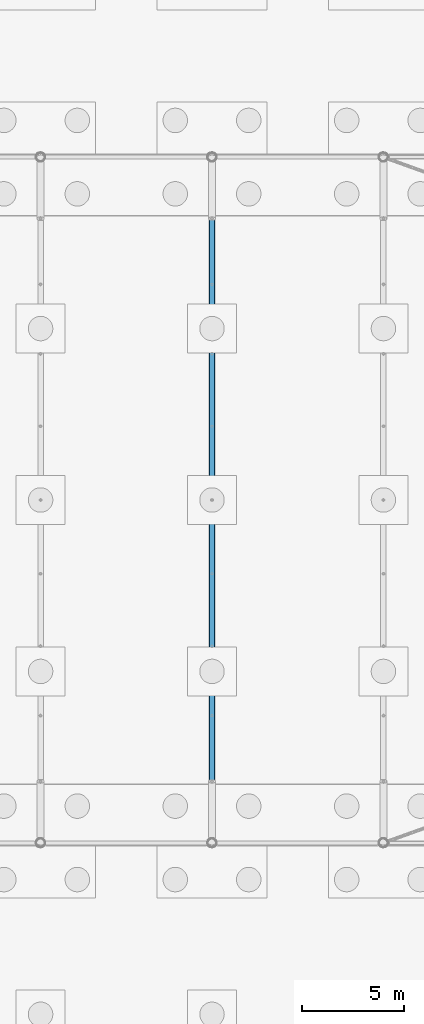
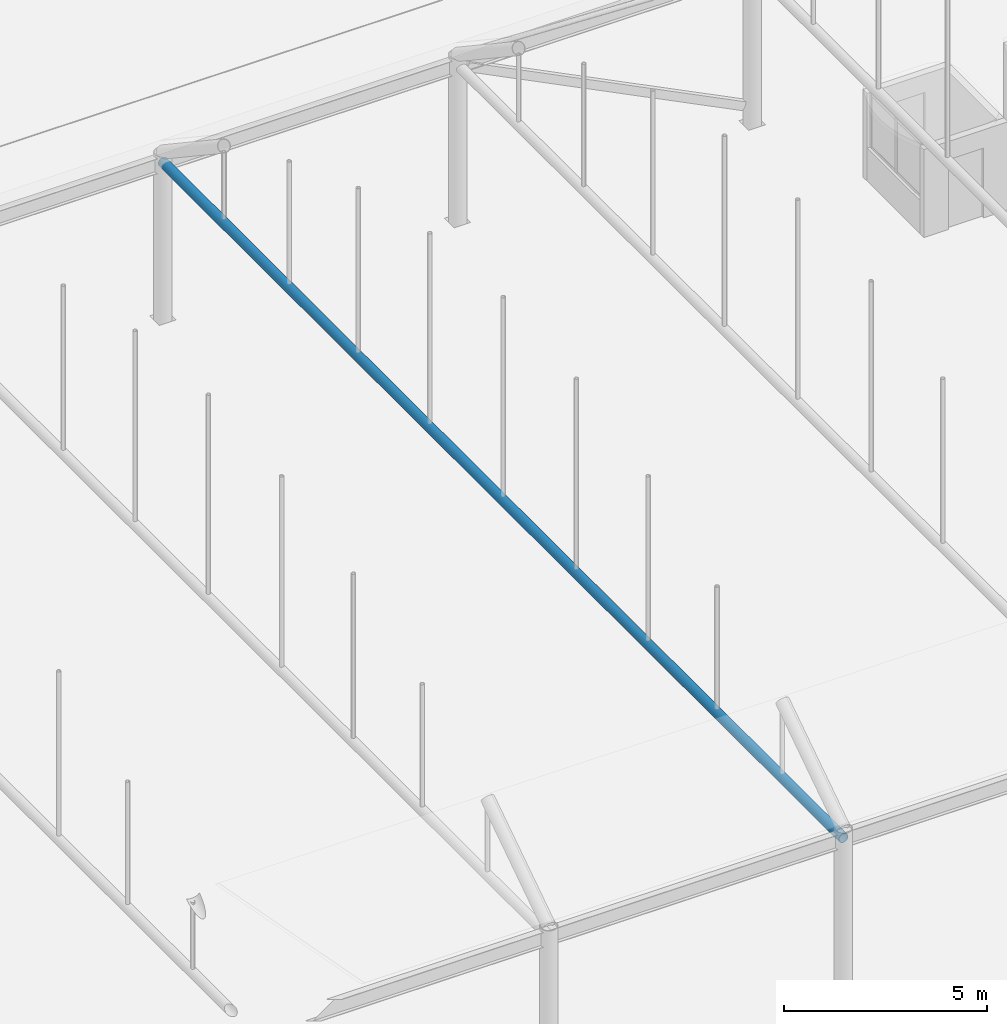
# One storey, part 70 of 212: 1 beam.
"""IFC4 building model written with IfcOpenShell, lengths in metres."""

import ifcopenshell
import ifcopenshell.guid

model = None  # the IFC model being written
_history = None  # IfcOwnerHistory: only IFC2X3 demands one
_inside = {}  # id of a spatial element -> (the spatial element, [elements in it])
_under = {}  # id of a project, library or spatial element -> (it, [spatial elements below it])
_declared = {}  # id of a project -> (the project, [libraries it declares])
_typed = {}  # id of a type object -> (the type object, [elements of that type])
_made_of = {}  # id of a material, layer set ... -> (it, [elements and type objects made of it])


def new_model(schema):
    """Start an empty IFC model of exactly this schema.

    Asked for "IFC4X3", IfcOpenShell would pick the latest addendum, in which some entities
    have other attributes; the version numbers below select the first issue.
    IFC2X3 requires an IfcOwnerHistory on every rooted entity: one is made here for all.
    """
    global model, _history
    if schema == "IFC4X3":
        model = ifcopenshell.file(schema_version=(4, 3, 0, 0))
    else:
        model = ifcopenshell.file(schema=schema)
    _inside.clear()
    _under.clear()
    _declared.clear()
    _typed.clear()
    _made_of.clear()
    _history = None
    if model.schema == "IFC2X3":
        org = make("IfcOrganization", Name="unknown")
        user = make(
            "IfcPersonAndOrganization",
            ThePerson=make("IfcPerson", FamilyName="unknown"),
            TheOrganization=org,
        )
        app = make(
            "IfcApplication",
            ApplicationDeveloper=org,
            Version="unknown",
            ApplicationFullName="unknown",
            ApplicationIdentifier="unknown",
        )
        _history = make(
            "IfcOwnerHistory",
            OwningUser=user,
            OwningApplication=app,
            ChangeAction="ADDED",
            CreationDate=0,
        )
    return model


def make(cls, **values):
    """One entity of the class cls with the attributes given. An attribute that is None is left unset."""
    return model.create_entity(
        cls, **{name: value for name, value in values.items() if value is not None}
    )


def rooted(cls, **values):
    """An entity with a GlobalId (a new one), such as an element, a storey or a relation."""
    return make(cls, GlobalId=ifcopenshell.guid.new(), OwnerHistory=_history, **values)


def si_unit(unit_type, name, prefix=None):
    """IfcSIUnit, for example si_unit("LENGTHUNIT", "METRE", prefix="MILLI")."""
    return make("IfcSIUnit", UnitType=unit_type, Prefix=prefix, Name=name)


def assignment(units):
    """IfcUnitAssignment: the units of a project."""
    return None if units is None else make("IfcUnitAssignment", Units=units)


def point(xyz):
    """IfcCartesianPoint."""
    return None if xyz is None else make("IfcCartesianPoint", Coordinates=xyz)


def direction(xyz):
    """IfcDirection."""
    return None if xyz is None else make("IfcDirection", DirectionRatios=xyz)


def frame(location, z_axis=None, x_axis=None):
    """IfcAxis2Placement3D, a coordinate frame: its origin and axes. An axis left out is left unset."""
    return make(
        "IfcAxis2Placement3D",
        Location=point(location),
        Axis=direction(z_axis),
        RefDirection=direction(x_axis),
    )


def frame_2d(location, x_axis=None):
    """IfcAxis2Placement2D, a coordinate frame in the plane: its origin and x axis."""
    return make(
        "IfcAxis2Placement2D", Location=point(location), RefDirection=direction(x_axis)
    )


def origin():
    """The frame at (0, 0, 0) with its axes left unset."""
    return frame((0.0, 0.0, 0.0))


def origin_2d():
    """The frame at (0, 0) in the plane with its x axis left unset."""
    return frame_2d((0.0, 0.0))


def place(relative_to, where):
    """IfcLocalPlacement: puts the frame where relative to a parent placement (None: the world)."""
    return make(
        "IfcLocalPlacement", PlacementRelTo=relative_to, RelativePlacement=where
    )


def context(
    kind, dimensions, precision=None, world=None, true_north=None, identifier=None
):
    """IfcGeometricRepresentationContext, for example the 3D "Model" context."""
    return make(
        "IfcGeometricRepresentationContext",
        ContextIdentifier=identifier,
        ContextType=kind,
        CoordinateSpaceDimension=dimensions,
        Precision=precision,
        WorldCoordinateSystem=world,
        TrueNorth=true_north,
    )


def subcontext(parent, identifier, kind, view, scale=None):
    """IfcGeometricRepresentationSubContext, for example "Body" below "Model"."""
    return make(
        "IfcGeometricRepresentationSubContext",
        ContextIdentifier=identifier,
        ContextType=kind,
        ParentContext=parent,
        TargetScale=scale,
        TargetView=view,
    )


def project(units=None, contexts=None):
    """IfcProject with its units and contexts."""
    return rooted(
        "IfcProject",
        Name="project",
        RepresentationContexts=contexts,
        UnitsInContext=assignment(units),
    )


def spatial(cls, under=None, at=None, **own):
    """A site, building, storey or space (cls), placed at a placement, below another one or the project."""
    s = rooted(cls, ObjectPlacement=at, **own)
    if under is not None:
        _under.setdefault(under.id(), (under, []))[1].append(s)
    return s


def profile(cls, at=None, kind="AREA", **sizes):
    """A parametric profile (cls). Its sizes go by their IFC names, for example OverallWidth=200.0."""
    return make(cls, ProfileType=kind, Position=at, **sizes)


def hollow_circle(**sizes):
    """IfcCircleHollowProfileDef."""
    return profile("IfcCircleHollowProfileDef", **sizes)


def extrude(swept, where, along, depth):
    """IfcExtrudedAreaSolid: the profile swept, set in the frame where, extruded along a direction by depth."""
    return make(
        "IfcExtrudedAreaSolid",
        SweptArea=swept,
        Position=where,
        ExtrudedDirection=direction(along),
        Depth=depth,
    )


def shape(context_of_items, identifier, shape_type, items):
    """IfcShapeRepresentation: the items that make up one representation, for example the "Body"."""
    return make(
        "IfcShapeRepresentation",
        ContextOfItems=context_of_items,
        RepresentationIdentifier=identifier,
        RepresentationType=shape_type,
        Items=items,
    )


def material(Name=None, Category=None):
    """IfcMaterial."""
    return make("IfcMaterial", Name=Name, Category=Category)


def material_profile(
    of_material, cross_section, Name=None, Category=None, Priority=None
):
    """IfcMaterialProfile: a cross section and its material."""
    return make(
        "IfcMaterialProfile",
        Name=Name,
        Material=of_material,
        Profile=cross_section,
        Priority=Priority,
        Category=Category,
    )


def profile_set(profiles, Name=None, composite=None):
    """IfcMaterialProfileSet."""
    return make(
        "IfcMaterialProfileSet",
        Name=Name,
        MaterialProfiles=profiles,
        CompositeProfile=composite,
    )


def made_of(thing, what):
    """Note that an element or type object is made of a material, layer set ...; save() writes the relation."""
    if what is not None:
        _made_of.setdefault(what.id(), (what, []))[1].append(thing)
    return thing


def type_object(cls, material=None, **own):
    """A type object (cls), such as IfcWallType, which elements share."""
    return made_of(rooted(cls, **own), material)


def element(
    cls,
    number,
    at=None,
    inside=None,
    cuts=None,
    type_object=None,
    material=None,
    context=None,
    identifier="Body",
    shape_type=None,
    held_by="IfcProductDefinitionShape",
    body=None,
    shapes=None,
    **own,
):
    """One element of the class cls, such as IfcWall. Its Tag is "e" and its number.

    at: its placement. inside: the storey or other place that contains it. cuts: it is an
    opening in that element (IfcRelVoidsElement). A single representation is given by context,
    identifier, shape_type and body (its items); several are given by shapes. held_by: the class
    of the entity that holds the representations. save() writes the other relations.
    """
    e = rooted(cls, Tag="e%d" % number, ObjectPlacement=at, **own)
    if body is not None:
        shapes = [shape(context, identifier, shape_type, body)]
    if shapes is not None:
        e.Representation = make(held_by, Representations=shapes)
    if inside is not None:
        _inside.setdefault(inside.id(), (inside, []))[1].append(e)
    if cuts is not None:
        rooted(
            "IfcRelVoidsElement", RelatingBuildingElement=cuts, RelatedOpeningElement=e
        )
    if type_object is not None:
        _typed.setdefault(type_object.id(), (type_object, []))[1].append(e)
    return made_of(e, material)


def aggregate(whole, parts):
    """IfcRelAggregates: a whole, such as a stair, and the parts it consists of."""
    return rooted("IfcRelAggregates", RelatingObject=whole, RelatedObjects=parts)


def save(model, path):
    """Write the relations noted so far, then the file.

    IfcRelAggregates (storeys below a building ...), IfcRelContainedInSpatialStructure (elements
    in a storey), IfcRelDefinesByType, IfcRelAssociatesMaterial and IfcRelDeclares: one each for
    every whole, place, type object, material and project.
    """
    for whole, parts in _under.values():
        aggregate(whole, parts)
    for where, things in _inside.values():
        rooted(
            "IfcRelContainedInSpatialStructure",
            RelatedElements=things,
            RelatingStructure=where,
        )
    for kind, things in _typed.values():
        rooted("IfcRelDefinesByType", RelatedObjects=things, RelatingType=kind)
    for what, things in _made_of.values():
        rooted("IfcRelAssociatesMaterial", RelatedObjects=things, RelatingMaterial=what)
    for by, libraries in _declared.values():
        rooted("IfcRelDeclares", RelatingContext=by, RelatedDefinitions=libraries)
    model.write(path)


model = new_model("IFC4")

# Units and contexts
model_context = context("Model", 3, precision=1e-05, world=origin(), true_north=direction((0.0, 1.0)))
body_context = subcontext(model_context, "Body", "Model", "MODEL_VIEW")
ifc_project = project(units=[si_unit("LENGTHUNIT", "METRE"), si_unit("AREAUNIT", "SQUARE_METRE"), si_unit("VOLUMEUNIT", "CUBIC_METRE"), si_unit("PLANEANGLEUNIT", "RADIAN"), si_unit("MASSUNIT", "GRAM", prefix="KILO")], contexts=[model_context])

# Site, building, storey
site_placement = place(None, origin())
site = spatial("IfcSite", under=ifc_project, at=site_placement, CompositionType="ELEMENT")
building_placement = place(site_placement, origin())
building = spatial("IfcBuilding", under=site, at=building_placement, Name="Catenary Quay Ferry Terminal", CompositionType="ELEMENT")
storey_placement = place(building_placement, origin())
storey = spatial("IfcBuildingStorey", under=building, at=storey_placement, Name="L00", CompositionType="ELEMENT", Elevation=0.0)

# Beam
ifc_material = material(Name="Steel S355", Category="steel")
ifc_material_profile = material_profile(ifc_material, hollow_circle(Radius=0.136474609375, WallThickness=0.012451171875, at=origin_2d()), Name="CHS 273x12.5")
ifc_profile_set = profile_set([ifc_material_profile], Name="Steel S355")
beam_type = type_object("IfcBeamType", Name="TB1 CHS 273x12.5", PredefinedType="BEAM", material=ifc_profile_set)
beam_placement = place(storey_placement, frame((84.0, 16.800048828125, 4.699951171875), z_axis=(0.0, 1.0, 0.0), x_axis=(-1.0, 0.0, 0.0)))
element("IfcBeam", 1, at=beam_placement, inside=storey, type_object=beam_type, Name="tie beam CA-09", PredefinedType="BEAM", context=body_context, shape_type="SweptSolid", body=[
    extrude(hollow_circle(Radius=0.136474609375, WallThickness=0.012451171875, at=origin_2d()), origin(), (0.0, 0.0, 1.0), 33.599853515625),
])

save(model, "model.ifc")
